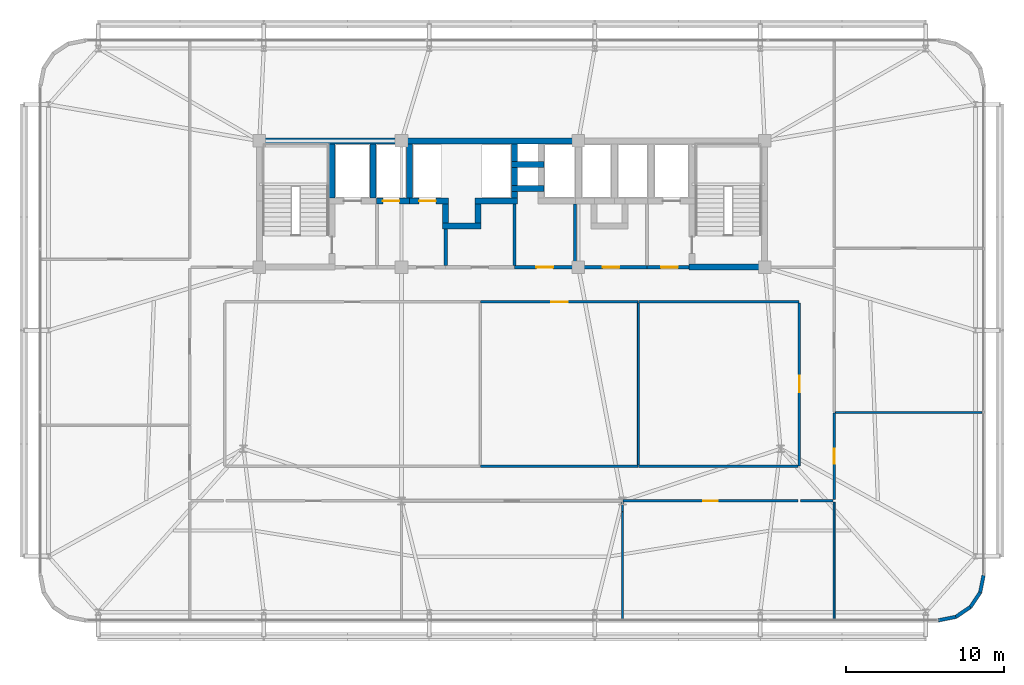
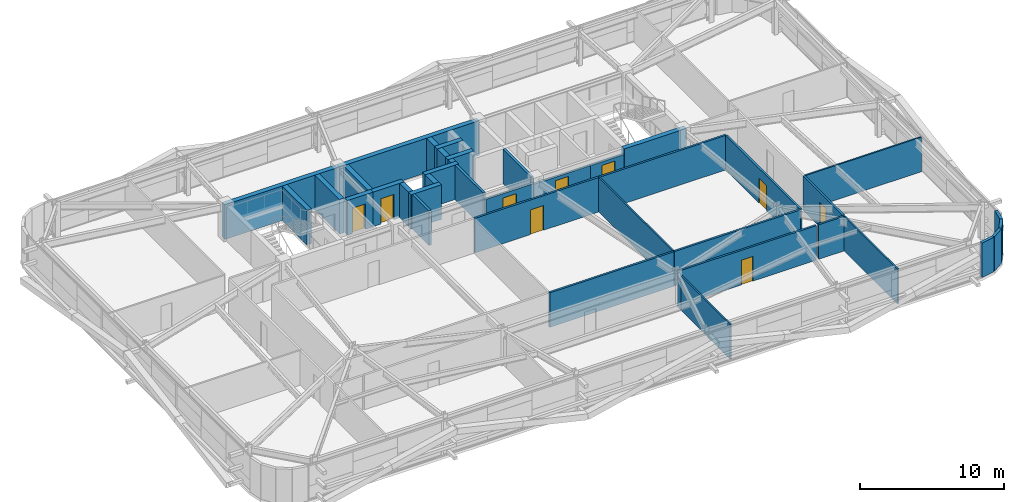
# One storey, part 40 of 44: 40 walls, 9 doors, 9 openings.
"""IFC4 building model written with IfcOpenShell, lengths in metres."""

from ifc_helpers import new_model, si_unit, direction, frame, frame_2d, origin, place, context, subcontext, project, spatial, rectangle, extrude, source, transform, mapped, material, layer, layer_set, type_object, element, fill, save


model = new_model("IFC4")

# Units and contexts
model_context = context("Model", 3, precision=1e-05, world=origin(), true_north=direction((0.0, 1.0)))
body_context = subcontext(model_context, "Body", "Model", "MODEL_VIEW")
ifc_project = project(units=[si_unit("LENGTHUNIT", "METRE"), si_unit("AREAUNIT", "SQUARE_METRE"), si_unit("VOLUMEUNIT", "CUBIC_METRE"), si_unit("PLANEANGLEUNIT", "RADIAN"), si_unit("MASSUNIT", "GRAM", prefix="KILO")], contexts=[model_context])

# Site, building, storey
site_placement = place(None, origin())
site = spatial("IfcSite", under=ifc_project, at=site_placement, CompositionType="ELEMENT")
building_placement = place(site_placement, origin())
building = spatial("IfcBuilding", under=site, at=building_placement, Name="Taldren Reach Tower", CompositionType="ELEMENT")
storey_placement = place(building_placement, frame((0.0, 0.0, 42.0)))
storey = spatial("IfcBuildingStorey", under=building, at=storey_placement, Name="L12", CompositionType="ELEMENT", Elevation=42.0)

# Walls
ifc_material_1 = material(Name="Pale Champagne Anodised Aluminium Cladding", Category="aluminium")
ifc_layer_1 = layer(ifc_material_1, 0.04, Name="Pale Champagne Anodised Aluminium Cladding", Category="aluminium")
ifc_material_2 = material(Name="Mineral Wool Acoustic Insulation", Category="insulation")
ifc_layer_2 = layer(ifc_material_2, 0.06, Name="Mineral Wool Acoustic Insulation", Category="insulation")
ifc_material_3 = material(Name="Steel Gr 350 (C350L0)", Category="steel")
ifc_layer_3 = layer(ifc_material_3, 0.12, Name="Steel Gr 350 (C350L0)", Category="steel")
ifc_layer_set_1 = layer_set([ifc_layer_1, ifc_layer_2, ifc_layer_3], Name="Pale Champagne Aluminium Cladding and Steel Gr 350 Stud Framing")
wall_type_1 = type_object("IfcWallType", Name="EW-CRN-220", PredefinedType="SOLIDWALL", material=ifc_layer_set_1)
shared_shape_1 = source(origin(), body_context, "Body", "SweptSolid", [
    extrude(rectangle(XDim=1.115966796875, YDim=0.219970703125, at=frame_2d((0.55810546875, 0.0))), origin(), (0.0, 0.0, 1.0), 2.929931640625),
])
for number, where, z_axis, x_axis, name in (
    (1, (62.0, 1.639892578125, 0.0), (0.0, 0.0, 1.0), (0.98077373103, 0.195148375659, 0.0), "Rounded-corner pale-metal facade wall L12-SE1"),
    (2, (63.094482421875, 1.857666015625, 0.0), (0.0, 0.0, 1.0), (0.83137650226, 0.555709556774, 0.0), "Rounded-corner pale-metal facade wall L12-SE2"),
    (3, (64.022216796875, 2.477783203125, 0.0), (0.0, 0.0, 1.0), (0.555709556774, 0.83137650226, 0.0), "Rounded-corner pale-metal facade wall L12-SE3"),
    (4, (64.642333984375, 3.405517578125, 0.0), (0.0, 0.0, 1.0), (0.195148375659, 0.98077373103, 0.0), "Rounded-corner pale-metal facade wall L12-SE4"),
):
    element("IfcWall", number, at=place(storey_placement, frame(where, z_axis=z_axis, x_axis=x_axis)), inside=storey, type_object=wall_type_1, Name=name, PredefinedType="SOLIDWALL", context=body_context, shape_type="MappedRepresentation", body=[
        mapped(shared_shape_1, transform((0.0, 0.0, 0.0), scale=1.0)),
    ])
ifc_material_4 = material(Name="Concrete S80 (80 MPa)", Category="concrete")
ifc_layer_4 = layer(ifc_material_4, 0.3798828125)
ifc_layer_set_2 = layer_set([ifc_layer_4], Name="Concrete S80 (80 MPa)")
wall_type_2 = type_object("IfcWallType", Name="IW-CORE-380", PredefinedType="SHEAR", material=ifc_layer_set_2)
shared_shape_2 = source(origin(), body_context, "Body", "SweptSolid", [
    extrude(rectangle(XDim=9.18994140625, YDim=0.3798828125, at=frame_2d((4.594970703125, 0.0))), origin(), (0.0, 0.0, 1.0), 2.929931640625),
])
wall_1_placement = place(storey_placement, frame((18.81005859375, 32.0, 0.0), z_axis=(0.0, 0.0, 1.0), x_axis=(1.0, 0.0, 0.0)))
element("IfcWall", 5, at=wall_1_placement, inside=storey, type_object=wall_type_2, Name="Rear Core Shear Wall W-CORE-L12-NORTH1", PredefinedType="SHEAR", context=body_context, shape_type="MappedRepresentation", body=[
    mapped(shared_shape_2, transform((0.0, 0.0, 0.0), scale=1.0)),
])
shared_shape_3 = source(origin(), body_context, "Body", "SweptSolid", [
    extrude(rectangle(XDim=11.199951171875, YDim=0.3798828125, at=frame_2d((5.60009765625, 0.0))), origin(), (0.0, 0.0, 1.0), 2.929931640625),
])
wall_2_placement = place(storey_placement, frame((28.0, 32.0, 0.0), z_axis=(0.0, 0.0, 1.0), x_axis=(1.0, 0.0, 0.0)))
element("IfcWall", 6, at=wall_2_placement, inside=storey, type_object=wall_type_2, Name="Rear Core Shear Wall W-CORE-L12-NORTH2", PredefinedType="SHEAR", context=body_context, shape_type="MappedRepresentation", body=[
    mapped(shared_shape_3, transform((0.0, 0.0, 0.0), scale=1.0)),
])
shared_shape_4 = source(origin(), body_context, "Body", "SweptSolid", [
    extrude(rectangle(XDim=3.420166015625, YDim=0.3798828125, at=frame_2d((1.7099609375, 0.0))), origin(), (0.0, 0.0, 1.0), 2.929931640625),
])
for number, where, z_axis, x_axis, name in (
    (7, (23.60009765625, 28.389892578125, 0.0), (0.0, 0.0, 1.0), (0.0, 1.0, 0.0), "Rear Core Shear Wall W-INT-L12-001"),
    (8, (26.199951171875, 28.389892578125, 0.0), (0.0, 0.0, 1.0), (0.0, 1.0, 0.0), "Rear Core Shear Wall W-INT-L12-005"),
    (9, (28.5, 28.389892578125, 0.0), (0.0, 0.0, 1.0), (0.0, 1.0, 0.0), "Rear Core Shear Wall W-INT-L12-029"),
):
    element("IfcWall", number, at=place(storey_placement, frame(where, z_axis=z_axis, x_axis=x_axis)), inside=storey, type_object=wall_type_2, Name=name, PredefinedType="SHEAR", context=body_context, shape_type="MappedRepresentation", body=[
        mapped(shared_shape_4, transform((0.0, 0.0, 0.0), scale=1.0)),
    ])
shared_shape_5 = source(origin(), body_context, "Body", "SweptSolid", [
    extrude(rectangle(XDim=4.97998046875, YDim=0.3798828125, at=frame_2d((2.489990234375, 0.0))), origin(), (0.0, 0.0, 1.0), 2.929931640625),
])
wall_3_placement = place(storey_placement, frame((46.2099609375, 24.0, 0.0), z_axis=(0.0, 0.0, 1.0), x_axis=(1.0, 0.0, 0.0)))
element("IfcWall", 10, at=wall_3_placement, inside=storey, type_object=wall_type_2, Name="Rear Core Shear Wall W-INT-L12-010", PredefinedType="SHEAR", context=body_context, shape_type="MappedRepresentation", body=[
    mapped(shared_shape_5, transform((0.0, 0.0, 0.0), scale=1.0)),
])
ifc_material_5 = material(Name="Concrete S50 (50 MPa)", Category="concrete")
ifc_layer_5 = layer(ifc_material_5, 0.199951171875)
ifc_layer_set_3 = layer_set([ifc_layer_5], Name="Concrete S50 (50 MPa)")
wall_type_3 = type_object("IfcWallType", Name="IW-CORE-200", PredefinedType="SOLIDWALL", material=ifc_layer_set_3)
shared_shape_6 = source(origin(), body_context, "Body", "SweptSolid", [
    extrude(rectangle(XDim=3.909912109375, YDim=0.199951171875, at=frame_2d((1.955078125, 0.0))), origin(), (0.0, 0.0, 1.0), 2.929931640625),
])
for number, where, z_axis, x_axis, name in (
    (11, (35.14990234375, 28.010009765625, 0.0), (0.0, 0.0, 1.0), (0.0, -1.0, 0.0), "Rear Core Shear Wall W-INT-L12-042"),
    (12, (39.0, 28.010009765625, 0.0), (0.0, 0.0, 1.0), (0.0, -1.0, 0.0), "Rear Core Shear Wall W-INT-L12-044"),
):
    element("IfcWall", number, at=place(storey_placement, frame(where, z_axis=z_axis, x_axis=x_axis)), inside=storey, type_object=wall_type_3, Name=name, PredefinedType="SOLIDWALL", context=body_context, shape_type="MappedRepresentation", body=[
        mapped(shared_shape_6, transform((0.0, 0.0, 0.0), scale=1.0)),
    ])

# Wall, opening, door
shared_shape_7 = source(origin(), body_context, "Body", "SweptSolid", [
    extrude(rectangle(XDim=2.659912109375, YDim=0.199951171875, at=frame_2d((1.330078125, 0.0))), origin(), (0.0, 0.0, 1.0), 2.39697265625),
])
wall_4_placement = place(storey_placement, frame((43.550048828125, 24.0, 0.0), z_axis=(0.0, 0.0, 1.0), x_axis=(1.0, 0.0, 0.0)))
wall_4 = element("IfcWall", 13, at=wall_4_placement, inside=storey, type_object=wall_type_3, Name="Rear Core Shear Wall W-INT-L12-014", PredefinedType="SOLIDWALL", context=body_context, shape_type="MappedRepresentation", body=[
    mapped(shared_shape_7, transform((0.0, 0.0, 0.0), scale=1.0)),
])
shared_shape_8 = source(origin(), body_context, "Body", "SweptSolid", [
    extrude(rectangle(XDim=1.050048828125, YDim=2.10009765625, at=frame_2d((0.52490234375, 1.050048828125))), frame((0.0, 0.10986328125, 0.0), z_axis=(0.0, -1.0, 0.0), x_axis=(1.0, 0.0, 0.0)), (0.0, 0.0, 1.0), 0.219970703125),
])
opening_1_placement = place(wall_4_placement, frame((0.89990234375, 0.0, 0.0)))
opening_1 = element("IfcOpeningElement", 14, at=opening_1_placement, cuts=wall_4, Name="Opening DF-105", PredefinedType="OPENING", context=body_context, shape_type="MappedRepresentation", body=[
    mapped(shared_shape_8, transform((0.0, 0.0, 0.0), scale=1.0)),
])
ifc_material_6 = material(Name="Fire-Rated Care and Stair Exit Door")
door_type_1 = type_object("IfcDoorType", Name="ID-FIRE-105", OperationType="NOTDEFINED", PredefinedType="DOOR", material=ifc_material_6)
shared_shape_9 = source(origin(), body_context, "Body", "SweptSolid", [
    extrude(rectangle(XDim=1.050048828125, YDim=2.10009765625, at=frame_2d((0.52490234375, 1.050048828125))), frame((0.0, 0.02490234375, 0.0), z_axis=(0.0, -1.0, 0.0), x_axis=(1.0, 0.0, 0.0)), (0.0, 0.0, 1.0), 0.050048828125),
])
door_1_placement = place(opening_1_placement, origin())
door_1 = element("IfcDoor", 15, at=door_1_placement, inside=storey, type_object=door_type_1, Name="Interior Door DR-L12-004", OperationType="SINGLE_SWING_LEFT", OverallHeight=2.10009765625, OverallWidth=1.050048828125, PredefinedType="DOOR", context=body_context, shape_type="MappedRepresentation", body=[
    mapped(shared_shape_9, transform((0.0, 0.0, 0.0), scale=1.0)),
])
fill(opening_1, door_1)

# Walls
shared_shape_10 = source(origin(), body_context, "Body", "SweptSolid", [
    extrude(rectangle(XDim=2.080078125, YDim=0.3798828125, at=frame_2d((1.0400390625, 0.0))), origin(), (0.0, 0.0, 1.0), 2.929931640625),
])
for number, where, z_axis, x_axis, name in (
    (16, (34.9599609375, 30.5, 0.0), (0.0, 0.0, 1.0), (1.0, 0.0, 0.0), "Rear Core Shear Wall W-INT-L12-015"),
    (17, (34.9599609375, 29.0, 0.0), (0.0, 0.0, 1.0), (1.0, 0.0, 0.0), "Rear Core Shear Wall W-INT-L12-020"),
):
    element("IfcWall", number, at=place(storey_placement, frame(where, z_axis=z_axis, x_axis=x_axis)), inside=storey, type_object=wall_type_2, Name=name, PredefinedType="SHEAR", context=body_context, shape_type="MappedRepresentation", body=[
        mapped(shared_shape_10, transform((0.0, 0.0, 0.0), scale=1.0)),
    ])
shared_shape_11 = source(origin(), body_context, "Body", "SweptSolid", [
    extrude(rectangle(XDim=1.1201171875, YDim=0.3798828125, at=frame_2d((0.56005859375, 0.0))), origin(), (0.0, 0.0, 1.0), 2.929931640625),
])
for number, where, z_axis, x_axis, name in (
    (18, (35.14990234375, 31.81005859375, 0.0), (0.0, 0.0, 1.0), (0.0, -1.0, 0.0), "Rear Core Shear Wall W-INT-L12-016"),
    (19, (35.14990234375, 30.31005859375, 0.0), (0.0, 0.0, 1.0), (0.0, -1.0, 0.0), "Rear Core Shear Wall W-INT-L12-018"),
):
    element("IfcWall", number, at=place(storey_placement, frame(where, z_axis=z_axis, x_axis=x_axis)), inside=storey, type_object=wall_type_2, Name=name, PredefinedType="SHEAR", context=body_context, shape_type="MappedRepresentation", body=[
        mapped(shared_shape_11, transform((0.0, 0.0, 0.0), scale=1.0)),
    ])
shared_shape_12 = source(origin(), body_context, "Body", "SweptSolid", [
    extrude(rectangle(XDim=1.219970703125, YDim=0.3798828125, at=frame_2d((0.60986328125, 0.0))), origin(), (0.0, 0.0, 1.0), 2.929931640625),
])
for number, where, z_axis, x_axis, name in (
    (20, (30.800048828125, 28.010009765625, 0.0), (0.0, 0.0, 1.0), (0.0, -1.0, 0.0), "Rear Core Shear Wall W-INT-L12-021"),
    (21, (32.85009765625, 26.7900390625, 0.0), (0.0, 0.0, 1.0), (0.0, 1.0, 0.0), "Rear Core Shear Wall W-INT-L12-023"),
):
    element("IfcWall", number, at=place(storey_placement, frame(where, z_axis=z_axis, x_axis=x_axis)), inside=storey, type_object=wall_type_2, Name=name, PredefinedType="SHEAR", context=body_context, shape_type="MappedRepresentation", body=[
        mapped(shared_shape_12, transform((0.0, 0.0, 0.0), scale=1.0)),
    ])
shared_shape_13 = source(origin(), body_context, "Body", "SweptSolid", [
    extrude(rectangle(XDim=2.429931640625, YDim=0.3798828125, at=frame_2d((1.21484375, 0.0))), origin(), (0.0, 0.0, 1.0), 2.929931640625),
])
wall_5_placement = place(storey_placement, frame((30.610107421875, 26.60009765625, 0.0), z_axis=(0.0, 0.0, 1.0), x_axis=(1.0, 0.0, 0.0)))
element("IfcWall", 22, at=wall_5_placement, inside=storey, type_object=wall_type_2, Name="Rear Core Shear Wall W-INT-L12-022", PredefinedType="SHEAR", context=body_context, shape_type="MappedRepresentation", body=[
    mapped(shared_shape_13, transform((0.0, 0.0, 0.0), scale=1.0)),
])

# Wall, opening, door
shared_shape_14 = source(origin(), body_context, "Body", "SweptSolid", [
    extrude(rectangle(XDim=2.070068359375, YDim=0.3798828125, at=frame_2d((1.03515625, 0.0))), origin(), (0.0, 0.0, 1.0), 2.929931640625),
])
wall_6_placement = place(storey_placement, frame((26.429931640625, 28.199951171875, 0.0), z_axis=(0.0, 0.0, 1.0), x_axis=(1.0, 0.0, 0.0)))
wall_6 = element("IfcWall", 23, at=wall_6_placement, inside=storey, type_object=wall_type_2, Name="Rear Core Shear Wall W-INT-L12-030", PredefinedType="SHEAR", context=body_context, shape_type="MappedRepresentation", body=[
    mapped(shared_shape_14, transform((0.0, 0.0, 0.0), scale=1.0)),
])
shared_shape_15 = source(origin(), body_context, "Body", "SweptSolid", [
    extrude(rectangle(XDim=1.050048828125, YDim=2.14990234375, at=frame_2d((0.52490234375, 1.074951171875))), frame((0.0, 0.199951171875, 0.0), z_axis=(0.0, -1.0, 0.0), x_axis=(1.0, 0.0, 0.0)), (0.0, 0.0, 1.0), 0.39990234375),
])
opening_2_placement = place(wall_6_placement, frame((0.39501953125, 0.0, 0.0)))
opening_2 = element("IfcOpeningElement", 24, at=opening_2_placement, cuts=wall_6, Name="Opening LD-PL1", PredefinedType="OPENING", context=body_context, shape_type="MappedRepresentation", body=[
    mapped(shared_shape_15, transform((0.0, 0.0, 0.0), scale=1.0)),
])
ifc_material_7 = material(Name="Stainless Steel Gr 316 Passenger Lift Landing Door", Category="steel")
door_type_2 = type_object("IfcDoorType", Name="LD-PAS-105", OperationType="SLIDING_TO_LEFT", PredefinedType="DOOR", material=ifc_material_7)
shared_shape_16 = source(origin(), body_context, "Body", "SweptSolid", [
    extrude(rectangle(XDim=1.050048828125, YDim=2.14990234375, at=frame_2d((0.52490234375, 1.074951171875))), frame((0.0, 0.02490234375, 0.0), z_axis=(0.0, -1.0, 0.0), x_axis=(1.0, 0.0, 0.0)), (0.0, 0.0, 1.0), 0.050048828125),
])
door_2_placement = place(opening_2_placement, origin())
door_2 = element("IfcDoor", 25, at=door_2_placement, inside=storey, type_object=door_type_2, Name="Lift Landing Door LD-PL1-L12", OperationType="SLIDING_TO_LEFT", OverallHeight=2.14990234375, OverallWidth=1.050048828125, PredefinedType="DOOR", context=body_context, shape_type="MappedRepresentation", body=[
    mapped(shared_shape_16, transform((0.0, 0.0, 0.0), scale=1.0)),
])
fill(opening_2, door_2)

shared_shape_17 = source(origin(), body_context, "Body", "SweptSolid", [
    extrude(rectangle(XDim=2.489990234375, YDim=0.3798828125, at=frame_2d((1.2451171875, 0.0))), origin(), (0.0, 0.0, 1.0), 2.929931640625),
])
wall_7_placement = place(storey_placement, frame((28.5, 28.199951171875, 0.0), z_axis=(0.0, 0.0, 1.0), x_axis=(1.0, 0.0, 0.0)))
wall_7 = element("IfcWall", 26, at=wall_7_placement, inside=storey, type_object=wall_type_2, Name="Rear Core Shear Wall W-INT-L12-031", PredefinedType="SHEAR", context=body_context, shape_type="MappedRepresentation", body=[
    mapped(shared_shape_17, transform((0.0, 0.0, 0.0), scale=1.0)),
])
opening_3_placement = place(wall_7_placement, frame((0.625, 0.0, 0.0)))
opening_3 = element("IfcOpeningElement", 27, at=opening_3_placement, cuts=wall_7, Name="Opening LD-PL2", PredefinedType="OPENING", context=body_context, shape_type="MappedRepresentation", body=[
    mapped(shared_shape_15, transform((0.0, 0.0, 0.0), scale=1.0)),
])
door_3_placement = place(opening_3_placement, origin())
door_3 = element("IfcDoor", 28, at=door_3_placement, inside=storey, type_object=door_type_2, Name="Lift Landing Door LD-PL2-L12", OperationType="SLIDING_TO_LEFT", OverallHeight=2.14990234375, OverallWidth=1.050048828125, PredefinedType="DOOR", context=body_context, shape_type="MappedRepresentation", body=[
    mapped(shared_shape_16, transform((0.0, 0.0, 0.0), scale=1.0)),
])
fill(opening_3, door_3)

# Walls
shared_shape_18 = source(origin(), body_context, "Body", "SweptSolid", [
    extrude(rectangle(XDim=2.309814453125, YDim=0.199951171875, at=frame_2d((1.15478515625, 0.0))), origin(), (0.0, 0.0, 1.0), 2.929931640625),
])
wall_8_placement = place(storey_placement, frame((30.800048828125, 26.409912109375, 0.0), z_axis=(0.0, 0.0, 1.0), x_axis=(0.0, -1.0, 0.0)))
element("IfcWall", 29, at=wall_8_placement, inside=storey, type_object=wall_type_3, Name="Rear Core Shear Wall W-INT-L12-032", PredefinedType="SOLIDWALL", context=body_context, shape_type="MappedRepresentation", body=[
    mapped(shared_shape_18, transform((0.0, 0.0, 0.0), scale=1.0)),
])
shared_shape_19 = source(origin(), body_context, "Body", "SweptSolid", [
    extrude(rectangle(XDim=2.68017578125, YDim=0.3798828125, at=frame_2d((1.340087890625, 0.0))), origin(), (0.0, 0.0, 1.0), 2.929931640625),
])
wall_9_placement = place(storey_placement, frame((32.659912109375, 28.199951171875, 0.0), z_axis=(0.0, 0.0, 1.0), x_axis=(1.0, 0.0, 0.0)))
element("IfcWall", 30, at=wall_9_placement, inside=storey, type_object=wall_type_2, Name="Rear Core Shear Wall W-INT-L12-034", PredefinedType="SHEAR", context=body_context, shape_type="MappedRepresentation", body=[
    mapped(shared_shape_19, transform((0.0, 0.0, 0.0), scale=1.0)),
])
shared_shape_20 = source(origin(), body_context, "Body", "SweptSolid", [
    extrude(rectangle(XDim=0.420166015625, YDim=0.3798828125, at=frame_2d((0.2099609375, 0.0))), origin(), (0.0, 0.0, 1.0), 2.929931640625),
])
wall_10_placement = place(storey_placement, frame((35.14990234375, 28.389892578125, 0.0), z_axis=(0.0, 0.0, 1.0), x_axis=(0.0, 1.0, 0.0)))
element("IfcWall", 31, at=wall_10_placement, inside=storey, type_object=wall_type_2, Name="Rear Core Shear Wall W-INT-L12-035", PredefinedType="SHEAR", context=body_context, shape_type="MappedRepresentation", body=[
    mapped(shared_shape_20, transform((0.0, 0.0, 0.0), scale=1.0)),
])

# Wall, opening, door
ifc_material_8 = material(Name="Fire-Rated Acoustic Plasterboard Stud Wall", Category="gypsum")
ifc_layer_6 = layer(ifc_material_8, 0.159912109375)
ifc_layer_set_4 = layer_set([ifc_layer_6], Name="Fire-Rated Acoustic Plasterboard Stud Wall")
wall_type_4 = type_object("IfcWallType", Name="IW-FIRE-160", PredefinedType="PARTITIONING", material=ifc_layer_set_4)
shared_shape_21 = source(origin(), body_context, "Body", "SweptSolid", [
    extrude(rectangle(XDim=10.2998046875, YDim=0.159912109375, at=frame_2d((5.14990234375, 0.0))), origin(), (0.0, 0.0, 1.0), 2.929931640625),
])
wall_11_placement = place(storey_placement, frame((53.199951171875, 11.420166015625, 0.0), z_axis=(0.0, 0.0, 1.0), x_axis=(0.0, 1.0, 0.0)))
wall_11 = element("IfcWall", 32, at=wall_11_placement, inside=storey, type_object=wall_type_4, Name="Interior Partition Wall W-INT-L12-050", PredefinedType="PARTITIONING", context=body_context, shape_type="MappedRepresentation", body=[
    mapped(shared_shape_21, transform((0.0, 0.0, 0.0), scale=1.0)),
])
shared_shape_22 = source(origin(), body_context, "Body", "SweptSolid", [
    extrude(rectangle(XDim=1.050048828125, YDim=2.10009765625, at=frame_2d((0.52490234375, 1.050048828125))), frame((0.0, 0.08984375, 0.0), z_axis=(0.0, -1.0, 0.0), x_axis=(1.0, 0.0, 0.0)), (0.0, 0.0, 1.0), 0.179931640625),
])
opening_4_placement = place(wall_11_placement, frame((4.65478515625, 0.0, 0.0)))
opening_4 = element("IfcOpeningElement", 33, at=opening_4_placement, cuts=wall_11, Name="Opening DF-105", PredefinedType="OPENING", context=body_context, shape_type="MappedRepresentation", body=[
    mapped(shared_shape_22, transform((0.0, 0.0, 0.0), scale=1.0)),
])
door_4_placement = place(opening_4_placement, origin())
door_4 = element("IfcDoor", 34, at=door_4_placement, inside=storey, type_object=door_type_1, Name="Interior Door DR-L12-011", OperationType="SINGLE_SWING_RIGHT", OverallHeight=2.10009765625, OverallWidth=1.050048828125, PredefinedType="DOOR", context=body_context, shape_type="MappedRepresentation", body=[
    mapped(shared_shape_9, transform((0.0, 0.0, 0.0), scale=1.0)),
])
fill(opening_4, door_4)

# Wall
shared_shape_23 = source(origin(), body_context, "Body", "SweptSolid", [
    extrude(rectangle(XDim=2.0400390625, YDim=0.159912109375, at=frame_2d((1.02001953125, 0.0))), origin(), (0.0, 0.0, 1.0), 2.929931640625),
])
wall_12_placement = place(storey_placement, frame((55.320068359375, 9.199951171875, 0.0), z_axis=(0.0, 0.0, 1.0), x_axis=(-1.0, 0.0, 0.0)))
element("IfcWall", 35, at=wall_12_placement, inside=storey, type_object=wall_type_4, Name="Interior Partition Wall W-INT-L12-053", PredefinedType="PARTITIONING", context=body_context, shape_type="MappedRepresentation", body=[
    mapped(shared_shape_23, transform((0.0, 0.0, 0.0), scale=1.0)),
])

# Wall, opening, door
shared_shape_24 = source(origin(), body_context, "Body", "SweptSolid", [
    extrude(rectangle(XDim=11.099853515625, YDim=0.159912109375, at=frame_2d((5.5498046875, 0.0))), origin(), (0.0, 0.0, 1.0), 2.929931640625),
])
wall_13_placement = place(storey_placement, frame((53.1201171875, 9.199951171875, 0.0), z_axis=(0.0, 0.0, 1.0), x_axis=(-1.0, 0.0, 0.0)))
wall_13 = element("IfcWall", 36, at=wall_13_placement, inside=storey, type_object=wall_type_4, Name="Interior Partition Wall W-INT-L12-065", PredefinedType="PARTITIONING", context=body_context, shape_type="MappedRepresentation", body=[
    mapped(shared_shape_24, transform((0.0, 0.0, 0.0), scale=1.0)),
])
shared_shape_25 = source(origin(), body_context, "Body", "SweptSolid", [
    extrude(rectangle(XDim=0.919921875, YDim=2.10009765625, at=frame_2d((0.4599609375, 1.050048828125))), frame((0.0, 0.08984375, 0.0), z_axis=(0.0, -1.0, 0.0), x_axis=(1.0, 0.0, 0.0)), (0.0, 0.0, 1.0), 0.179931640625),
])
opening_5_placement = place(wall_13_placement, frame((5.08984375, 0.0, 0.0)))
opening_5 = element("IfcOpeningElement", 37, at=opening_5_placement, cuts=wall_13, Name="Opening DI-092", PredefinedType="OPENING", context=body_context, shape_type="MappedRepresentation", body=[
    mapped(shared_shape_25, transform((0.0, 0.0, 0.0), scale=1.0)),
])
ifc_material_9 = material(Name="Solid-Core Timber Suite Door", Category="wood")
door_type_3 = type_object("IfcDoorType", Name="ID-INT-092", OperationType="NOTDEFINED", PredefinedType="DOOR", material=ifc_material_9)
shared_shape_26 = source(origin(), body_context, "Body", "SweptSolid", [
    extrude(rectangle(XDim=0.919921875, YDim=2.10009765625, at=frame_2d((0.4599609375, 1.050048828125))), frame((0.0, 0.02490234375, 0.0), z_axis=(0.0, -1.0, 0.0), x_axis=(1.0, 0.0, 0.0)), (0.0, 0.0, 1.0), 0.050048828125),
])
door_5_placement = place(opening_5_placement, origin())
door_5 = element("IfcDoor", 38, at=door_5_placement, inside=storey, type_object=door_type_3, Name="Interior Door DR-L12-019", OperationType="SINGLE_SWING_RIGHT", OverallHeight=2.10009765625, OverallWidth=0.919921875, PredefinedType="DOOR", context=body_context, shape_type="MappedRepresentation", body=[
    mapped(shared_shape_26, transform((0.0, 0.0, 0.0), scale=1.0)),
])
fill(opening_5, door_5)

shared_shape_27 = source(origin(), body_context, "Body", "SweptSolid", [
    extrude(rectangle(XDim=3.85009765625, YDim=0.199951171875, at=frame_2d((1.925048828125, 0.0))), origin(), (0.0, 0.0, 1.0), 2.469970703125),
])
wall_14_placement = place(storey_placement, frame((39.0, 24.0, 0.0), z_axis=(0.0, 0.0, 1.0), x_axis=(-1.0, 0.0, 0.0)))
wall_14 = element("IfcWall", 39, at=wall_14_placement, inside=storey, type_object=wall_type_3, Name="Rear Core Shear Wall W-INT-L12-045", PredefinedType="SOLIDWALL", context=body_context, shape_type="MappedRepresentation", body=[
    mapped(shared_shape_27, transform((0.0, 0.0, 0.0), scale=1.0)),
])
opening_6_placement = place(wall_14_placement, frame((1.39990234375, 0.0, 0.0)))
opening_6 = element("IfcOpeningElement", 40, at=opening_6_placement, cuts=wall_14, Name="Opening DF-105", PredefinedType="OPENING", context=body_context, shape_type="MappedRepresentation", body=[
    mapped(shared_shape_8, transform((0.0, 0.0, 0.0), scale=1.0)),
])
door_6_placement = place(opening_6_placement, frame((1.050048828125, 0.0, 0.0), z_axis=(0.0, 0.0, 1.0), x_axis=(-1.0, 0.0, 0.0)))
door_6 = element("IfcDoor", 41, at=door_6_placement, inside=storey, type_object=door_type_1, Name="Interior Door DR-L12-007", OperationType="SINGLE_SWING_LEFT", OverallHeight=2.10009765625, OverallWidth=1.050048828125, PredefinedType="DOOR", context=body_context, shape_type="MappedRepresentation", body=[
    mapped(shared_shape_9, transform((0.0, 0.0, 0.0), scale=1.0)),
])
fill(opening_6, door_6)

shared_shape_28 = source(origin(), body_context, "Body", "SweptSolid", [
    extrude(rectangle(XDim=4.550048828125, YDim=0.199951171875, at=frame_2d((2.27490234375, 0.0))), origin(), (0.0, 0.0, 1.0), 2.39697265625),
])
wall_15_placement = place(storey_placement, frame((43.550048828125, 24.0, 0.0), z_axis=(0.0, 0.0, 1.0), x_axis=(-1.0, 0.0, 0.0)))
wall_15 = element("IfcWall", 42, at=wall_15_placement, inside=storey, type_object=wall_type_3, Name="Rear Core Shear Wall W-INT-L12-046", PredefinedType="SOLIDWALL", context=body_context, shape_type="MappedRepresentation", body=[
    mapped(shared_shape_28, transform((0.0, 0.0, 0.0), scale=1.0)),
])
opening_7_placement = place(wall_15_placement, frame((1.75, 0.0, 0.0)))
opening_7 = element("IfcOpeningElement", 43, at=opening_7_placement, cuts=wall_15, Name="Opening DF-105", PredefinedType="OPENING", context=body_context, shape_type="MappedRepresentation", body=[
    mapped(shared_shape_8, transform((0.0, 0.0, 0.0), scale=1.0)),
])
door_7_placement = place(opening_7_placement, frame((1.050048828125, 0.0, 0.0), z_axis=(0.0, 0.0, 1.0), x_axis=(-1.0, 0.0, 0.0)))
door_7 = element("IfcDoor", 44, at=door_7_placement, inside=storey, type_object=door_type_1, Name="Interior Door DR-L12-008", OperationType="SINGLE_SWING_RIGHT", OverallHeight=2.10009765625, OverallWidth=1.050048828125, PredefinedType="DOOR", context=body_context, shape_type="MappedRepresentation", body=[
    mapped(shared_shape_9, transform((0.0, 0.0, 0.0), scale=1.0)),
])
fill(opening_7, door_7)

# Wall
ifc_material_10 = material(Name="Insulated Residential Stud Partition", Category="gypsum")
ifc_layer_7 = layer(ifc_material_10, 0.1201171875)
ifc_layer_set_5 = layer_set([ifc_layer_7], Name="Insulated Residential Stud Partition")
wall_type_5 = type_object("IfcWallType", Name="IW-PART-120", PredefinedType="PARTITIONING", material=ifc_layer_set_5)
shared_shape_29 = source(origin(), body_context, "Body", "SweptSolid", [
    extrude(rectangle(XDim=9.2900390625, YDim=0.1201171875, at=frame_2d((4.64501953125, 0.0))), origin(), (0.0, 0.0, 1.0), 2.929931640625),
])
wall_16_placement = place(storey_placement, frame((55.47998046875, 14.800048828125, 0.0), z_axis=(0.0, 0.0, 1.0), x_axis=(1.0, 0.0, 0.0)))
element("IfcWall", 45, at=wall_16_placement, inside=storey, type_object=wall_type_5, Name="Interior Partition Wall W-INT-L12-075", PredefinedType="PARTITIONING", context=body_context, shape_type="MappedRepresentation", body=[
    mapped(shared_shape_29, transform((0.0, 0.0, 0.0), scale=1.0)),
])

# Wall, opening, door
shared_shape_30 = source(origin(), body_context, "Body", "SweptSolid", [
    extrude(rectangle(XDim=9.95947265625, YDim=0.159912109375, at=frame_2d((4.979736328125, 0.0))), origin(), (0.0, 0.0, 1.0), 2.929931640625),
])
wall_17_placement = place(storey_placement, frame((42.979736328125, 21.800048828125, 0.0), z_axis=(0.0, 0.0, 1.0), x_axis=(-1.0, 0.0, 0.0)))
wall_17 = element("IfcWall", 46, at=wall_17_placement, inside=storey, type_object=wall_type_4, Name="Interior Partition Wall W-INT-L12-049", PredefinedType="PARTITIONING", context=body_context, shape_type="MappedRepresentation", body=[
    mapped(shared_shape_30, transform((0.0, 0.0, 0.0), scale=1.0)),
])
opening_8_placement = place(wall_17_placement, frame((4.454833984375, 0.0, 0.0)))
opening_8 = element("IfcOpeningElement", 47, at=opening_8_placement, cuts=wall_17, Name="Opening DF-105", PredefinedType="OPENING", context=body_context, shape_type="MappedRepresentation", body=[
    mapped(shared_shape_22, transform((0.0, 0.0, 0.0), scale=1.0)),
])
door_8_placement = place(opening_8_placement, origin())
door_8 = element("IfcDoor", 48, at=door_8_placement, inside=storey, type_object=door_type_1, Name="Interior Door DR-L12-010", OperationType="SINGLE_SWING_LEFT", OverallHeight=2.10009765625, OverallWidth=1.050048828125, PredefinedType="DOOR", context=body_context, shape_type="MappedRepresentation", body=[
    mapped(shared_shape_9, transform((0.0, 0.0, 0.0), scale=1.0)),
])
fill(opening_8, door_8)

# Walls
wall_18_placement = place(storey_placement, frame((33.020263671875, 11.39990234375, 0.0), z_axis=(0.0, 0.0, 1.0), x_axis=(1.0, 0.0, 0.0)))
element("IfcWall", 49, at=wall_18_placement, inside=storey, type_object=wall_type_4, Name="Interior Partition Wall W-INT-L12-061", PredefinedType="PARTITIONING", context=body_context, shape_type="MappedRepresentation", body=[
    mapped(shared_shape_30, transform((0.0, 0.0, 0.0), scale=1.0)),
])
shared_shape_31 = source(origin(), body_context, "Body", "SweptSolid", [
    extrude(rectangle(XDim=10.239990234375, YDim=0.1201171875, at=frame_2d((5.1201171875, 0.0))), origin(), (0.0, 0.0, 1.0), 2.929931640625),
])
wall_19_placement = place(storey_placement, frame((43.0, 21.719970703125, 0.0), z_axis=(0.0, 0.0, 1.0), x_axis=(0.0, -1.0, 0.0)))
element("IfcWall", 50, at=wall_19_placement, inside=storey, type_object=wall_type_5, Name="Interior Partition Wall W-INT-L12-067", PredefinedType="PARTITIONING", context=body_context, shape_type="MappedRepresentation", body=[
    mapped(shared_shape_31, transform((0.0, 0.0, 0.0), scale=1.0)),
])
shared_shape_32 = source(origin(), body_context, "Body", "SweptSolid", [
    extrude(rectangle(XDim=10.159423828125, YDim=0.159912109375, at=frame_2d((5.07958984375, 0.0))), origin(), (0.0, 0.0, 1.0), 2.929931640625),
])
wall_20_placement = place(storey_placement, frame((53.1796875, 21.800048828125, 0.0), z_axis=(0.0, 0.0, 1.0), x_axis=(-1.0, 0.0, 0.0)))
element("IfcWall", 51, at=wall_20_placement, inside=storey, type_object=wall_type_4, Name="Interior Partition Wall W-INT-L12-051", PredefinedType="PARTITIONING", context=body_context, shape_type="MappedRepresentation", body=[
    mapped(shared_shape_32, transform((0.0, 0.0, 0.0), scale=1.0)),
])

# Wall, opening, door
shared_shape_33 = source(origin(), body_context, "Body", "SweptSolid", [
    extrude(rectangle(XDim=5.499755859375, YDim=0.159912109375, at=frame_2d((2.75, 0.0))), origin(), (0.0, 0.0, 1.0), 2.929931640625),
])
wall_21_placement = place(storey_placement, frame((55.39990234375, 14.77978515625, 0.0), z_axis=(0.0, 0.0, 1.0), x_axis=(0.0, -1.0, 0.0)))
wall_21 = element("IfcWall", 52, at=wall_21_placement, inside=storey, type_object=wall_type_4, Name="Interior Partition Wall W-INT-L12-056", PredefinedType="PARTITIONING", context=body_context, shape_type="MappedRepresentation", body=[
    mapped(shared_shape_33, transform((0.0, 0.0, 0.0), scale=1.0)),
])
opening_9_placement = place(wall_21_placement, frame((2.289794921875, 0.0, 0.0)))
opening_9 = element("IfcOpeningElement", 53, at=opening_9_placement, cuts=wall_21, Name="Opening DI-092", PredefinedType="OPENING", context=body_context, shape_type="MappedRepresentation", body=[
    mapped(shared_shape_25, transform((0.0, 0.0, 0.0), scale=1.0)),
])
door_9_placement = place(opening_9_placement, origin())
door_9 = element("IfcDoor", 54, at=door_9_placement, inside=storey, type_object=door_type_3, Name="Interior Door DR-L12-014", OperationType="SINGLE_SWING_LEFT", OverallHeight=2.10009765625, OverallWidth=0.919921875, PredefinedType="DOOR", context=body_context, shape_type="MappedRepresentation", body=[
    mapped(shared_shape_26, transform((0.0, 0.0, 0.0), scale=1.0)),
])
fill(opening_9, door_9)

# Walls
shared_shape_34 = source(origin(), body_context, "Body", "SweptSolid", [
    extrude(rectangle(XDim=10.099853515625, YDim=0.159912109375, at=frame_2d((5.0498046875, 0.0))), origin(), (0.0, 0.0, 1.0), 2.929931640625),
])
wall_22_placement = place(storey_placement, frame((43.020263671875, 11.39990234375, 0.0), z_axis=(0.0, 0.0, 1.0), x_axis=(1.0, 0.0, 0.0)))
element("IfcWall", 55, at=wall_22_placement, inside=storey, type_object=wall_type_4, Name="Interior Partition Wall W-INT-L12-062", PredefinedType="PARTITIONING", context=body_context, shape_type="MappedRepresentation", body=[
    mapped(shared_shape_34, transform((0.0, 0.0, 0.0), scale=1.0)),
])
shared_shape_35 = source(origin(), body_context, "Body", "SweptSolid", [
    extrude(rectangle(XDim=0.589599609375, YDim=0.1201171875, at=frame_2d((0.294921875, 0.0))), origin(), (0.0, 0.0, 1.0), 2.39697265625),
])
wall_23_placement = place(storey_placement, frame((42.0, 9.117919921875, 0.0), z_axis=(0.0, 0.0, 1.0), x_axis=(0.0, -1.0, 0.0)))
element("IfcWall", 56, at=wall_23_placement, inside=storey, type_object=wall_type_5, Name="Interior Partition Wall W-INT-L12-070", PredefinedType="PARTITIONING", context=body_context, shape_type="MappedRepresentation", body=[
    mapped(shared_shape_35, transform((0.0, 0.0, 0.0), scale=1.0)),
])
shared_shape_36 = source(origin(), body_context, "Body", "SweptSolid", [
    extrude(rectangle(XDim=6.79638671875, YDim=0.1201171875, at=frame_2d((3.398193359375, 0.0))), origin(), (0.0, 0.0, 1.0), 2.929931640625),
])
wall_24_placement = place(storey_placement, frame((42.0, 8.5283203125, 0.0), z_axis=(0.0, 0.0, 1.0), x_axis=(0.0, -1.0, 0.0)))
element("IfcWall", 57, at=wall_24_placement, inside=storey, type_object=wall_type_5, Name="Interior Partition Wall W-INT-L12-070 part 2", PredefinedType="PARTITIONING", context=body_context, shape_type="MappedRepresentation", body=[
    mapped(shared_shape_36, transform((0.0, 0.0, 0.0), scale=1.0)),
])
shared_shape_37 = source(origin(), body_context, "Body", "SweptSolid", [
    extrude(rectangle(XDim=7.385986328125, YDim=0.1201171875, at=frame_2d((3.69287109375, 0.0))), origin(), (0.0, 0.0, 1.0), 2.929931640625),
])
wall_25_placement = place(storey_placement, frame((55.39990234375, 9.117919921875, 0.0), z_axis=(0.0, 0.0, 1.0), x_axis=(0.0, -1.0, 0.0)))
element("IfcWall", 58, at=wall_25_placement, inside=storey, type_object=wall_type_5, Name="Interior Partition Wall W-INT-L12-071", PredefinedType="PARTITIONING", context=body_context, shape_type="MappedRepresentation", body=[
    mapped(shared_shape_37, transform((0.0, 0.0, 0.0), scale=1.0)),
])

save(model, "model.ifc")
